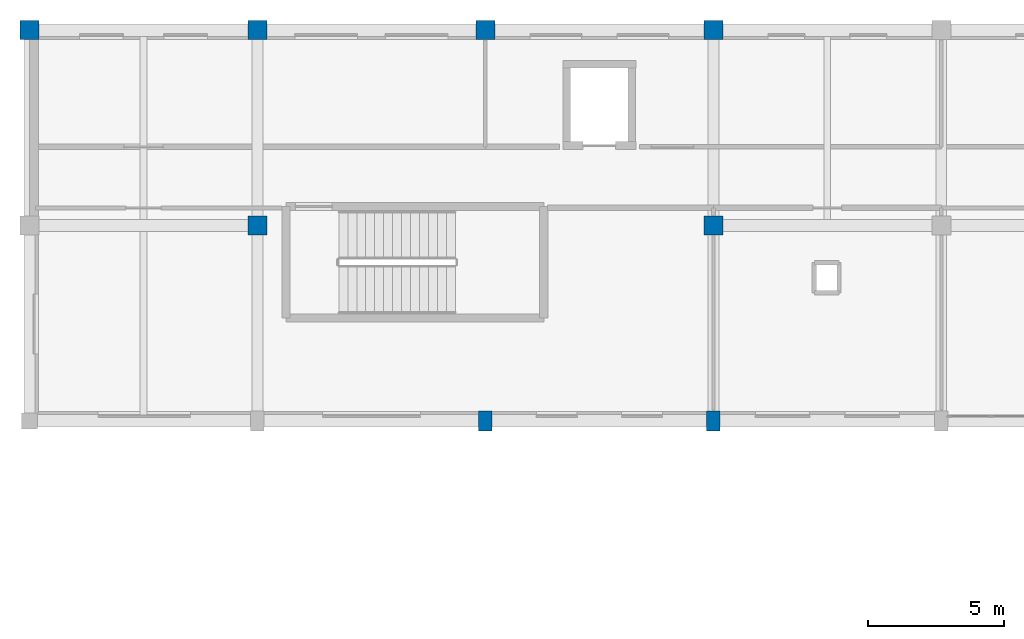
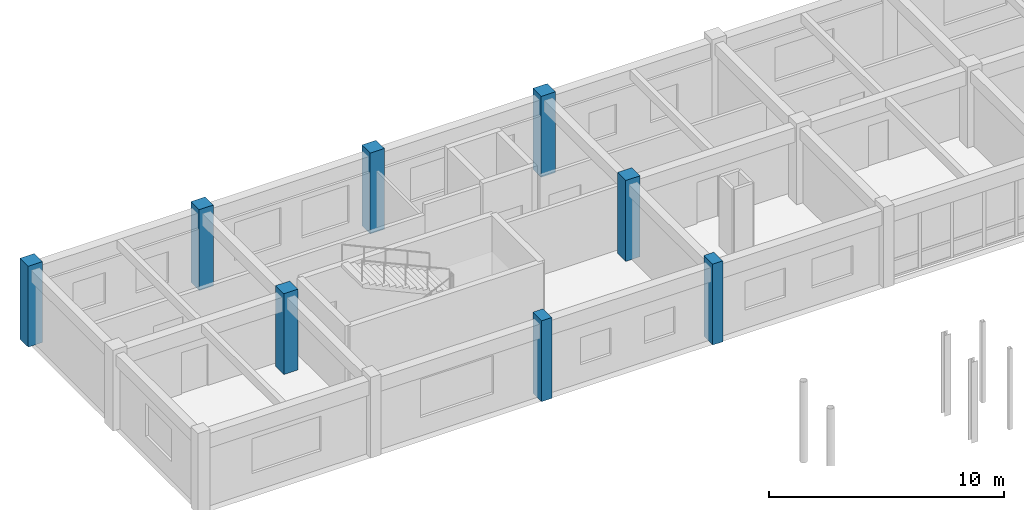
# One storey, part 13 of 90: 8 columns.
"""IFC4 building model written with IfcOpenShell, lengths in metres."""

from ifc_helpers import new_model, si_unit, direction, frame, origin, origin_2d, place, context, subcontext, project, spatial, rectangle, extrude, material, material_profile, profile_set, type_object, element, save


model = new_model("IFC4")

# Units and contexts
model_context = context("Model", 3, precision=1e-05, world=origin(), true_north=direction((0.0, 1.0)))
body_context = subcontext(model_context, "Body", "Model", "MODEL_VIEW")
ifc_project = project(units=[si_unit("LENGTHUNIT", "METRE"), si_unit("AREAUNIT", "SQUARE_METRE"), si_unit("VOLUMEUNIT", "CUBIC_METRE"), si_unit("PLANEANGLEUNIT", "RADIAN"), si_unit("MASSUNIT", "GRAM", prefix="KILO")], contexts=[model_context])

# Site, building, storey
site_placement = place(None, origin())
site = spatial("IfcSite", under=ifc_project, at=site_placement, CompositionType="ELEMENT")
building_placement = place(site_placement, origin())
building = spatial("IfcBuilding", under=site, at=building_placement, Name="Malvenik Polytechnic", CompositionType="ELEMENT")
storey_placement = place(building_placement, frame((0.0, 0.0, 9.300048828125)))
storey = spatial("IfcBuildingStorey", under=building, at=storey_placement, Name="L02", CompositionType="ELEMENT", Elevation=9.300048828125)

# Columns
ifc_material_1 = material(Name="Concrete C40/50", Category="concrete")
ifc_material_profile_1 = material_profile(ifc_material_1, rectangle(XDim=0.699951171875, YDim=0.699951171875, at=origin_2d()), Name="RC COL 700x700")
ifc_profile_set_1 = profile_set([ifc_material_profile_1], Name="Concrete C40/50")
column_type_1 = type_object("IfcColumnType", Name="STR-COL-C-04", PredefinedType="COLUMN", material=ifc_profile_set_1)
for number, where, z_axis, x_axis, name in (
    (1, (0.0, 129.60009765625, 0.0), (0.0, 0.0, 1.0), (1.0, 0.0, 0.0), "Column C-04 L02 (0.0,129.6)"),
    (2, (8.39990234375, 122.39990234375, 0.0), (0.0, 0.0, 1.0), (1.0, 0.0, 0.0), "Column C-04 L02 (8.4,122.4)"),
    (3, (8.39990234375, 129.60009765625, 0.0), (0.0, 0.0, 1.0), (1.0, 0.0, 0.0), "Column C-04 L02 (8.4,129.6)"),
    (4, (16.800048828125, 129.60009765625, 0.0), (0.0, 0.0, 1.0), (1.0, 0.0, 0.0), "Column C-04 L02 (16.8,129.6)"),
    (5, (25.199951171875, 122.39990234375, 0.0), (0.0, 0.0, 1.0), (1.0, 0.0, 0.0), "Column C-04 L02 (25.2,122.4)"),
    (6, (25.199951171875, 129.60009765625, 0.0), (0.0, 0.0, 1.0), (1.0, 0.0, 0.0), "Column C-04 L02 (25.2,129.6)"),
):
    element("IfcColumn", number, at=place(storey_placement, frame(where, z_axis=z_axis, x_axis=x_axis)), inside=storey, type_object=column_type_1, Name=name, PredefinedType="COLUMN", context=body_context, shape_type="SweptSolid", body=[
        extrude(rectangle(XDim=0.699951171875, YDim=0.699951171875, at=origin_2d()), origin(), (0.0, 0.0, 1.0), 4.199951171875),
    ])
ifc_material_2 = material(Name="Concrete C35/45", Category="concrete")
ifc_material_profile_2 = material_profile(ifc_material_2, rectangle(XDim=0.5, YDim=0.75, at=origin_2d()), Name="RC COL 750x500")
ifc_profile_set_2 = profile_set([ifc_material_profile_2], Name="Concrete C35/45")
column_type_2 = type_object("IfcColumnType", Name="STR-COL-C-14", PredefinedType="COLUMN", material=ifc_profile_set_2)
for number, where, z_axis, x_axis, name in (
    (7, (16.800048828125, 115.199951171875, 0.0), (0.0, 0.0, 1.0), (1.0, 0.0, 0.0), "Column C-14 L02 (16.8,115.2)"),
    (8, (25.199951171875, 115.199951171875, 0.0), (0.0, 0.0, 1.0), (1.0, 0.0, 0.0), "Column C-14 L02 (25.2,115.2)"),
):
    element("IfcColumn", number, at=place(storey_placement, frame(where, z_axis=z_axis, x_axis=x_axis)), inside=storey, type_object=column_type_2, Name=name, PredefinedType="COLUMN", context=body_context, shape_type="SweptSolid", body=[
        extrude(rectangle(XDim=0.5, YDim=0.75, at=origin_2d()), origin(), (0.0, 0.0, 1.0), 4.199951171875),
    ])

save(model, "model.ifc")
